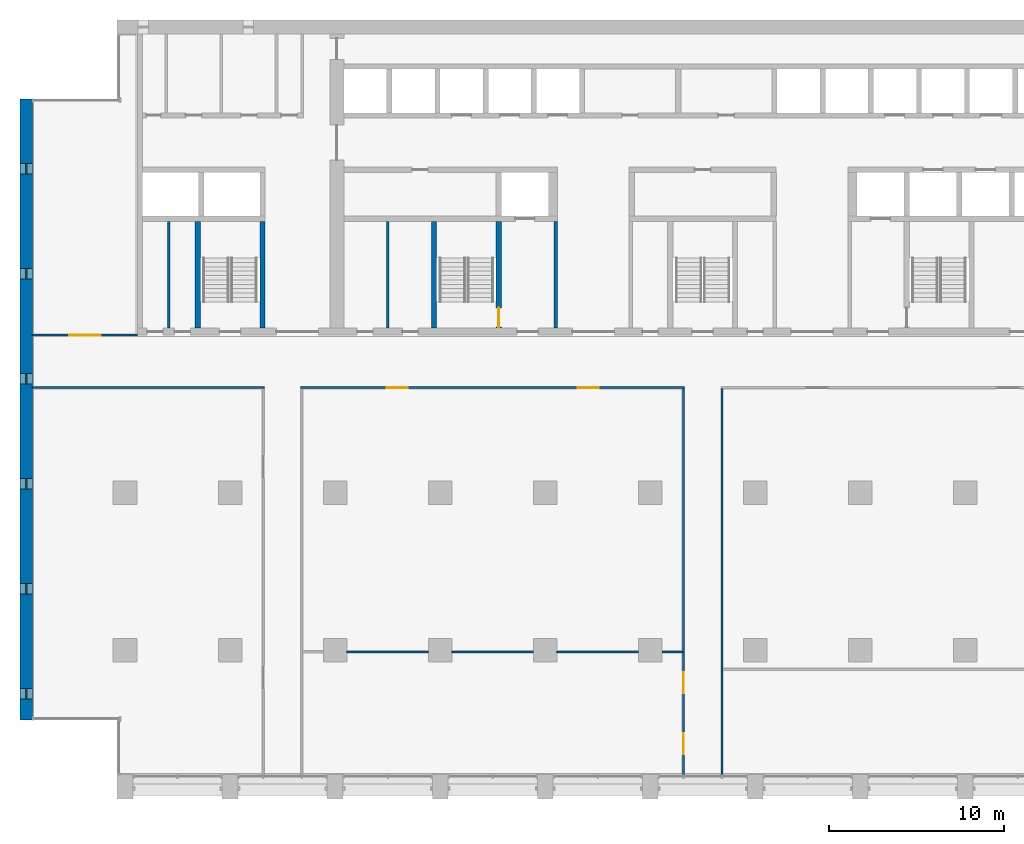
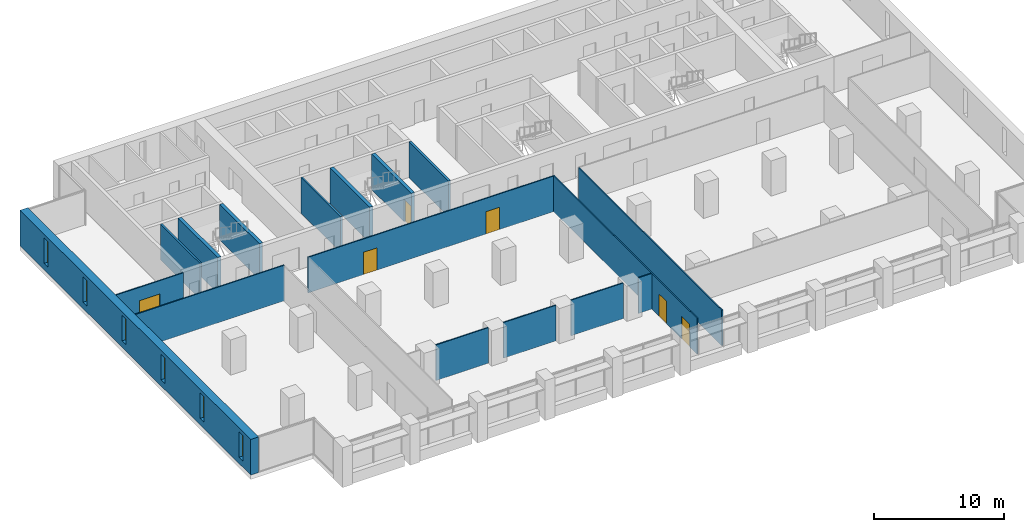
# One storey, part 8 of 15: 17 walls, 6 doors, 6 windows, 12 openings.
"""IFC4 building model written with IfcOpenShell, lengths in metres."""

import ifcopenshell
import ifcopenshell.guid

model = None  # the IFC model being written
_history = None  # IfcOwnerHistory: only IFC2X3 demands one
_inside = {}  # id of a spatial element -> (the spatial element, [elements in it])
_under = {}  # id of a project, library or spatial element -> (it, [spatial elements below it])
_declared = {}  # id of a project -> (the project, [libraries it declares])
_typed = {}  # id of a type object -> (the type object, [elements of that type])
_made_of = {}  # id of a material, layer set ... -> (it, [elements and type objects made of it])


def new_model(schema):
    """Start an empty IFC model of exactly this schema.

    Asked for "IFC4X3", IfcOpenShell would pick the latest addendum, in which some entities
    have other attributes; the version numbers below select the first issue.
    IFC2X3 requires an IfcOwnerHistory on every rooted entity: one is made here for all.
    """
    global model, _history
    if schema == "IFC4X3":
        model = ifcopenshell.file(schema_version=(4, 3, 0, 0))
    else:
        model = ifcopenshell.file(schema=schema)
    _inside.clear()
    _under.clear()
    _declared.clear()
    _typed.clear()
    _made_of.clear()
    _history = None
    if model.schema == "IFC2X3":
        org = make("IfcOrganization", Name="unknown")
        user = make(
            "IfcPersonAndOrganization",
            ThePerson=make("IfcPerson", FamilyName="unknown"),
            TheOrganization=org,
        )
        app = make(
            "IfcApplication",
            ApplicationDeveloper=org,
            Version="unknown",
            ApplicationFullName="unknown",
            ApplicationIdentifier="unknown",
        )
        _history = make(
            "IfcOwnerHistory",
            OwningUser=user,
            OwningApplication=app,
            ChangeAction="ADDED",
            CreationDate=0,
        )
    return model


def make(cls, **values):
    """One entity of the class cls with the attributes given. An attribute that is None is left unset."""
    return model.create_entity(
        cls, **{name: value for name, value in values.items() if value is not None}
    )


def rooted(cls, **values):
    """An entity with a GlobalId (a new one), such as an element, a storey or a relation."""
    return make(cls, GlobalId=ifcopenshell.guid.new(), OwnerHistory=_history, **values)


def si_unit(unit_type, name, prefix=None):
    """IfcSIUnit, for example si_unit("LENGTHUNIT", "METRE", prefix="MILLI")."""
    return make("IfcSIUnit", UnitType=unit_type, Prefix=prefix, Name=name)


def assignment(units):
    """IfcUnitAssignment: the units of a project."""
    return None if units is None else make("IfcUnitAssignment", Units=units)


def point(xyz):
    """IfcCartesianPoint."""
    return None if xyz is None else make("IfcCartesianPoint", Coordinates=xyz)


def direction(xyz):
    """IfcDirection."""
    return None if xyz is None else make("IfcDirection", DirectionRatios=xyz)


def frame(location, z_axis=None, x_axis=None):
    """IfcAxis2Placement3D, a coordinate frame: its origin and axes. An axis left out is left unset."""
    return make(
        "IfcAxis2Placement3D",
        Location=point(location),
        Axis=direction(z_axis),
        RefDirection=direction(x_axis),
    )


def frame_2d(location, x_axis=None):
    """IfcAxis2Placement2D, a coordinate frame in the plane: its origin and x axis."""
    return make(
        "IfcAxis2Placement2D", Location=point(location), RefDirection=direction(x_axis)
    )


def origin():
    """The frame at (0, 0, 0) with its axes left unset."""
    return frame((0.0, 0.0, 0.0))


def place(relative_to, where):
    """IfcLocalPlacement: puts the frame where relative to a parent placement (None: the world)."""
    return make(
        "IfcLocalPlacement", PlacementRelTo=relative_to, RelativePlacement=where
    )


def context(
    kind, dimensions, precision=None, world=None, true_north=None, identifier=None
):
    """IfcGeometricRepresentationContext, for example the 3D "Model" context."""
    return make(
        "IfcGeometricRepresentationContext",
        ContextIdentifier=identifier,
        ContextType=kind,
        CoordinateSpaceDimension=dimensions,
        Precision=precision,
        WorldCoordinateSystem=world,
        TrueNorth=true_north,
    )


def subcontext(parent, identifier, kind, view, scale=None):
    """IfcGeometricRepresentationSubContext, for example "Body" below "Model"."""
    return make(
        "IfcGeometricRepresentationSubContext",
        ContextIdentifier=identifier,
        ContextType=kind,
        ParentContext=parent,
        TargetScale=scale,
        TargetView=view,
    )


def project(units=None, contexts=None):
    """IfcProject with its units and contexts."""
    return rooted(
        "IfcProject",
        Name="project",
        RepresentationContexts=contexts,
        UnitsInContext=assignment(units),
    )


def spatial(cls, under=None, at=None, **own):
    """A site, building, storey or space (cls), placed at a placement, below another one or the project."""
    s = rooted(cls, ObjectPlacement=at, **own)
    if under is not None:
        _under.setdefault(under.id(), (under, []))[1].append(s)
    return s


def profile(cls, at=None, kind="AREA", **sizes):
    """A parametric profile (cls). Its sizes go by their IFC names, for example OverallWidth=200.0."""
    return make(cls, ProfileType=kind, Position=at, **sizes)


def rectangle(**sizes):
    """IfcRectangleProfileDef."""
    return profile("IfcRectangleProfileDef", **sizes)


def extrude(swept, where, along, depth):
    """IfcExtrudedAreaSolid: the profile swept, set in the frame where, extruded along a direction by depth."""
    return make(
        "IfcExtrudedAreaSolid",
        SweptArea=swept,
        Position=where,
        ExtrudedDirection=direction(along),
        Depth=depth,
    )


def shape(context_of_items, identifier, shape_type, items):
    """IfcShapeRepresentation: the items that make up one representation, for example the "Body"."""
    return make(
        "IfcShapeRepresentation",
        ContextOfItems=context_of_items,
        RepresentationIdentifier=identifier,
        RepresentationType=shape_type,
        Items=items,
    )


def material(Name=None, Category=None):
    """IfcMaterial."""
    return make("IfcMaterial", Name=Name, Category=Category)


def layer(
    of_material, thickness, ventilated=None, Name=None, Category=None, Priority=None
):
    """IfcMaterialLayer: one layer of a wall or slab, of a material (None: an air gap)."""
    return make(
        "IfcMaterialLayer",
        Material=of_material,
        LayerThickness=thickness,
        IsVentilated=ventilated,
        Name=Name,
        Category=Category,
        Priority=Priority,
    )


def layer_set(layers, Name=None):
    """IfcMaterialLayerSet."""
    return make("IfcMaterialLayerSet", MaterialLayers=layers, LayerSetName=Name)


def made_of(thing, what):
    """Note that an element or type object is made of a material, layer set ...; save() writes the relation."""
    if what is not None:
        _made_of.setdefault(what.id(), (what, []))[1].append(thing)
    return thing


def type_object(cls, material=None, **own):
    """A type object (cls), such as IfcWallType, which elements share."""
    return made_of(rooted(cls, **own), material)


def element(
    cls,
    number,
    at=None,
    inside=None,
    cuts=None,
    type_object=None,
    material=None,
    context=None,
    identifier="Body",
    shape_type=None,
    held_by="IfcProductDefinitionShape",
    body=None,
    shapes=None,
    **own,
):
    """One element of the class cls, such as IfcWall. Its Tag is "e" and its number.

    at: its placement. inside: the storey or other place that contains it. cuts: it is an
    opening in that element (IfcRelVoidsElement). A single representation is given by context,
    identifier, shape_type and body (its items); several are given by shapes. held_by: the class
    of the entity that holds the representations. save() writes the other relations.
    """
    e = rooted(cls, Tag="e%d" % number, ObjectPlacement=at, **own)
    if body is not None:
        shapes = [shape(context, identifier, shape_type, body)]
    if shapes is not None:
        e.Representation = make(held_by, Representations=shapes)
    if inside is not None:
        _inside.setdefault(inside.id(), (inside, []))[1].append(e)
    if cuts is not None:
        rooted(
            "IfcRelVoidsElement", RelatingBuildingElement=cuts, RelatedOpeningElement=e
        )
    if type_object is not None:
        _typed.setdefault(type_object.id(), (type_object, []))[1].append(e)
    return made_of(e, material)


def fill(opening, filler):
    """IfcRelFillsElement: the door or window that sits in an opening."""
    return rooted(
        "IfcRelFillsElement",
        RelatingOpeningElement=opening,
        RelatedBuildingElement=filler,
    )


def aggregate(whole, parts):
    """IfcRelAggregates: a whole, such as a stair, and the parts it consists of."""
    return rooted("IfcRelAggregates", RelatingObject=whole, RelatedObjects=parts)


def save(model, path):
    """Write the relations noted so far, then the file.

    IfcRelAggregates (storeys below a building ...), IfcRelContainedInSpatialStructure (elements
    in a storey), IfcRelDefinesByType, IfcRelAssociatesMaterial and IfcRelDeclares: one each for
    every whole, place, type object, material and project.
    """
    for whole, parts in _under.values():
        aggregate(whole, parts)
    for where, things in _inside.values():
        rooted(
            "IfcRelContainedInSpatialStructure",
            RelatedElements=things,
            RelatingStructure=where,
        )
    for kind, things in _typed.values():
        rooted("IfcRelDefinesByType", RelatedObjects=things, RelatingType=kind)
    for what, things in _made_of.values():
        rooted("IfcRelAssociatesMaterial", RelatedObjects=things, RelatingMaterial=what)
    for by, libraries in _declared.values():
        rooted("IfcRelDeclares", RelatingContext=by, RelatedDefinitions=libraries)
    model.write(path)


model = new_model("IFC4")

# Units and contexts
model_context = context("Model", 3, precision=1e-05, world=origin(), true_north=direction((0.0, 1.0)))
body_context = subcontext(model_context, "Body", "Model", "MODEL_VIEW")
ifc_project = project(units=[si_unit("LENGTHUNIT", "METRE"), si_unit("AREAUNIT", "SQUARE_METRE"), si_unit("VOLUMEUNIT", "CUBIC_METRE"), si_unit("PLANEANGLEUNIT", "RADIAN"), si_unit("MASSUNIT", "GRAM", prefix="KILO")], contexts=[model_context])

# Site, building, storey
site_placement = place(None, origin())
site = spatial("IfcSite", under=ifc_project, at=site_placement, CompositionType="ELEMENT")
building_placement = place(site_placement, origin())
building = spatial("IfcBuilding", under=site, at=building_placement, Name="Calvaro Tower", CompositionType="ELEMENT")
storey_placement = place(building_placement, frame((0.0, 0.0, 113.75)))
storey = spatial("IfcBuildingStorey", under=building, at=storey_placement, Name="L28", CompositionType="ELEMENT", Elevation=113.75)

# Walls
ifc_material_1 = material(Name="Blockwork partition", Category="masonry")
ifc_layer_1 = layer(ifc_material_1, 0.14990234375)
ifc_layer_set_1 = layer_set([ifc_layer_1], Name="Blockwork partition")
wall_type_1 = type_object("IfcWallType", Name="Core partition 150 EI 60", PredefinedType="PARTITIONING", material=ifc_layer_set_1)
wall_1_placement = place(storey_placement, frame((21.0, 28.39990234375, 0.0), z_axis=(0.0, 0.0, 1.0), x_axis=(0.0, 1.0, 0.0)))
element("IfcWall", 1, at=wall_1_placement, inside=storey, type_object=wall_type_1, Name="Core partition", PredefinedType="PARTITIONING", context=body_context, shape_type="SweptSolid", body=[
    extrude(rectangle(XDim=6.10009765625, YDim=0.14990234375, at=frame_2d((3.050048828125, 0.0))), origin(), (0.0, 0.0, 1.0), 3.35009765625),
])
ifc_material_2 = material(Name="Blockwork partition", Category="masonry")
ifc_layer_2 = layer(ifc_material_2, 0.14990234375)
ifc_layer_set_2 = layer_set([ifc_layer_2], Name="Blockwork partition")
wall_type_2 = type_object("IfcWallType", Name="Core partition 150 REI 120", PredefinedType="PARTITIONING", material=ifc_layer_set_2)
wall_2_placement = place(storey_placement, frame((8.5, 28.39990234375, 0.0), z_axis=(0.0, 0.0, 1.0), x_axis=(0.0, 1.0, 0.0)))
element("IfcWall", 2, at=wall_2_placement, inside=storey, type_object=wall_type_2, Name="Core partition", PredefinedType="PARTITIONING", context=body_context, shape_type="SweptSolid", body=[
    extrude(rectangle(XDim=6.10009765625, YDim=0.14990234375, at=frame_2d((3.050048828125, 0.0))), origin(), (0.0, 0.0, 1.0), 3.35009765625),
])
ifc_material_3 = material(Name="Blockwork partition", Category="masonry")
ifc_layer_3 = layer(ifc_material_3, 0.199951171875)
ifc_layer_set_3 = layer_set([ifc_layer_3], Name="Blockwork partition")
wall_type_3 = type_object("IfcWallType", Name="Core partition 200 REI 120", PredefinedType="PARTITIONING", material=ifc_layer_set_3)
wall_3_placement = place(storey_placement, frame((30.60009765625, 28.39990234375, 0.0), z_axis=(0.0, 0.0, 1.0), x_axis=(0.0, 1.0, 0.0)))
element("IfcWall", 3, at=wall_3_placement, inside=storey, type_object=wall_type_3, Name="Core partition", PredefinedType="PARTITIONING", context=body_context, shape_type="SweptSolid", body=[
    extrude(rectangle(XDim=6.10009765625, YDim=0.199951171875, at=frame_2d((3.050048828125, 0.0))), origin(), (0.0, 0.0, 1.0), 3.35009765625),
])
ifc_material_4 = material(Name="Concrete C60/75", Category="concrete")
ifc_layer_4 = layer(ifc_material_4, 0.300048828125)
ifc_layer_set_4 = layer_set([ifc_layer_4], Name="Concrete C60/75")
wall_type_4 = type_object("IfcWallType", Name="Core wall C60/75 300", PredefinedType="SHEAR", material=ifc_layer_set_4)
for number, where, z_axis, x_axis, name in (
    (4, (10.14990234375, 28.39990234375, 0.0), (0.0, 0.0, 1.0), (0.0, 1.0, 0.0), "Core wall, stair enclosure"),
    (5, (13.85009765625, 28.39990234375, 0.0), (0.0, 0.0, 1.0), (0.0, 1.0, 0.0), "Core wall, stair enclosure"),
    (6, (23.64990234375, 28.39990234375, 0.0), (0.0, 0.0, 1.0), (0.0, 1.0, 0.0), "Core wall, stair enclosure"),
):
    element("IfcWall", number, at=place(storey_placement, frame(where, z_axis=z_axis, x_axis=x_axis)), inside=storey, type_object=wall_type_4, Name=name, PredefinedType="SHEAR", context=body_context, shape_type="SweptSolid", body=[
        extrude(rectangle(XDim=6.10009765625, YDim=0.300048828125, at=frame_2d((3.050048828125, 0.0))), origin(), (0.0, 0.0, 1.0), 3.35009765625),
    ])

# Wall, opening, door
wall_4_placement = place(storey_placement, frame((27.35009765625, 28.39990234375, 0.0), z_axis=(0.0, 0.0, 1.0), x_axis=(0.0, 1.0, 0.0)))
wall_4 = element("IfcWall", 7, at=wall_4_placement, inside=storey, type_object=wall_type_4, Name="Core wall, stair enclosure", PredefinedType="SHEAR", context=body_context, shape_type="SweptSolid", body=[
    extrude(rectangle(XDim=6.10009765625, YDim=0.300048828125, at=frame_2d((3.050048828125, 0.0))), origin(), (0.0, 0.0, 1.0), 3.35009765625),
])
opening_1_placement = place(wall_4_placement, frame((0.050048828125, 0.0, 0.0)))
opening_1 = element("IfcOpeningElement", 8, at=opening_1_placement, cuts=wall_4, Name="Opening FD11D", PredefinedType="OPENING", context=body_context, shape_type="SweptSolid", body=[
    extrude(rectangle(XDim=1.10009765625, YDim=2.10009765625, at=frame_2d((0.550048828125, 1.050048828125))), frame((0.0, 0.159912109375, 0.0), z_axis=(0.0, -1.0, 0.0), x_axis=(1.0, 0.0, 0.0)), (0.0, 0.0, 1.0), 0.320068359375),
])
ifc_material_5 = material(Name="Steel door set", Category="steel")
door_type_1 = type_object("IfcDoorType", Name="Fire door 1100 FD30S", OperationType="SINGLE_SWING_LEFT", PredefinedType="DOOR", material=ifc_material_5)
door_1_placement = place(opening_1_placement, origin())
door_1 = element("IfcDoor", 9, at=door_1_placement, inside=storey, type_object=door_type_1, Name="Fire door", OperationType="SINGLE_SWING_LEFT", OverallHeight=2.10009765625, OverallWidth=1.10009765625, PredefinedType="DOOR", context=body_context, shape_type="SweptSolid", body=[
    extrude(rectangle(XDim=1.10009765625, YDim=2.10009765625, at=frame_2d((0.550048828125, 1.050048828125))), frame((0.0, 0.02490234375, 0.0), z_axis=(0.0, -1.0, 0.0), x_axis=(1.0, 0.0, 0.0)), (0.0, 0.0, 1.0), 0.050048828125),
])
fill(opening_1, door_1)

# Wall, openings, windows
ifc_material_6 = material(Name="Concrete C60/75", Category="concrete")
ifc_layer_5 = layer(ifc_material_6, 0.699951171875)
ifc_layer_set_5 = layer_set([ifc_layer_5], Name="Concrete C60/75")
wall_type_5 = type_object("IfcWallType", Name="End wall 700 C60/75", PredefinedType="SHEAR", material=ifc_layer_set_5)
wall_5_placement = place(storey_placement, frame((0.35009765625, 6.0, 0.0), z_axis=(0.0, 0.0, 1.0), x_axis=(0.0, 1.0, 0.0)))
wall_5 = element("IfcWall", 10, at=wall_5_placement, inside=storey, type_object=wall_type_5, Name="End shear wall", PredefinedType="SHEAR", context=body_context, shape_type="SweptSolid", body=[
    extrude(rectangle(XDim=35.5, YDim=0.699951171875, at=frame_2d((17.75, 0.0))), origin(), (0.0, 0.0, 1.0), 3.35009765625),
])
opening_2_placement = place(wall_5_placement, frame((1.199951171875, 0.0, 0.60009765625)))
opening_2 = element("IfcOpeningElement", 11, at=opening_2_placement, cuts=wall_5, Name="Opening WW01", PredefinedType="OPENING", context=body_context, shape_type="SweptSolid", body=[
    extrude(rectangle(XDim=0.60009765625, YDim=2.39990234375, at=frame_2d((0.300048828125, 1.199951171875))), frame((0.0, 0.35986328125, 0.0), z_axis=(0.0, -1.0, 0.0), x_axis=(1.0, 0.0, 0.0)), (0.0, 0.0, 1.0), 0.719970703125),
])
opening_3_placement = place(wall_5_placement, frame((7.199951171875, 0.0, 0.60009765625)))
opening_3 = element("IfcOpeningElement", 12, at=opening_3_placement, cuts=wall_5, Name="Opening WW02", PredefinedType="OPENING", context=body_context, shape_type="SweptSolid", body=[
    extrude(rectangle(XDim=0.60009765625, YDim=2.39990234375, at=frame_2d((0.300048828125, 1.199951171875))), frame((0.0, 0.35986328125, 0.0), z_axis=(0.0, -1.0, 0.0), x_axis=(1.0, 0.0, 0.0)), (0.0, 0.0, 1.0), 0.719970703125),
])
opening_4_placement = place(wall_5_placement, frame((13.199951171875, 0.0, 0.60009765625)))
opening_4 = element("IfcOpeningElement", 13, at=opening_4_placement, cuts=wall_5, Name="Opening WW03", PredefinedType="OPENING", context=body_context, shape_type="SweptSolid", body=[
    extrude(rectangle(XDim=0.60009765625, YDim=2.39990234375, at=frame_2d((0.300048828125, 1.199951171875))), frame((0.0, 0.35986328125, 0.0), z_axis=(0.0, -1.0, 0.0), x_axis=(1.0, 0.0, 0.0)), (0.0, 0.0, 1.0), 0.719970703125),
])
opening_5_placement = place(wall_5_placement, frame((19.199951171875, 0.0, 0.60009765625)))
opening_5 = element("IfcOpeningElement", 14, at=opening_5_placement, cuts=wall_5, Name="Opening WW04", PredefinedType="OPENING", context=body_context, shape_type="SweptSolid", body=[
    extrude(rectangle(XDim=0.60009765625, YDim=2.39990234375, at=frame_2d((0.300048828125, 1.199951171875))), frame((0.0, 0.35986328125, 0.0), z_axis=(0.0, -1.0, 0.0), x_axis=(1.0, 0.0, 0.0)), (0.0, 0.0, 1.0), 0.719970703125),
])
opening_6_placement = place(wall_5_placement, frame((25.199951171875, 0.0, 0.60009765625)))
opening_6 = element("IfcOpeningElement", 15, at=opening_6_placement, cuts=wall_5, Name="Opening WW05", PredefinedType="OPENING", context=body_context, shape_type="SweptSolid", body=[
    extrude(rectangle(XDim=0.60009765625, YDim=2.39990234375, at=frame_2d((0.300048828125, 1.199951171875))), frame((0.0, 0.35986328125, 0.0), z_axis=(0.0, -1.0, 0.0), x_axis=(1.0, 0.0, 0.0)), (0.0, 0.0, 1.0), 0.719970703125),
])
opening_7_placement = place(wall_5_placement, frame((31.199951171875, 0.0, 0.60009765625)))
opening_7 = element("IfcOpeningElement", 16, at=opening_7_placement, cuts=wall_5, Name="Opening WW06", PredefinedType="OPENING", context=body_context, shape_type="SweptSolid", body=[
    extrude(rectangle(XDim=0.60009765625, YDim=2.39990234375, at=frame_2d((0.300048828125, 1.199951171875))), frame((0.0, 0.35986328125, 0.0), z_axis=(0.0, -1.0, 0.0), x_axis=(1.0, 0.0, 0.0)), (0.0, 0.0, 1.0), 0.719970703125),
])
ifc_material_7 = material(Name="Glass", Category="glass")
window_type = type_object("IfcWindowType", Name="Slit window 600 x 2400", PartitioningType="SINGLE_PANEL", PredefinedType="WINDOW", material=ifc_material_7)
window_1_placement = place(opening_2_placement, origin())
window_1 = element("IfcWindow", 17, at=window_1_placement, inside=storey, type_object=window_type, Name="Window WW01", OverallHeight=2.39990234375, OverallWidth=0.60009765625, PartitioningType="SINGLE_PANEL", PredefinedType="WINDOW", context=body_context, shape_type="SweptSolid", body=[
    extrude(rectangle(XDim=0.60009765625, YDim=2.39990234375, at=frame_2d((0.300048828125, 1.199951171875))), frame((0.0, 0.030029296875, 0.0), z_axis=(0.0, -1.0, 0.0), x_axis=(1.0, 0.0, 0.0)), (0.0, 0.0, 1.0), 0.06005859375),
])
fill(opening_2, window_1)
window_2_placement = place(opening_3_placement, origin())
window_2 = element("IfcWindow", 18, at=window_2_placement, inside=storey, type_object=window_type, Name="Window WW02", OverallHeight=2.39990234375, OverallWidth=0.60009765625, PartitioningType="SINGLE_PANEL", PredefinedType="WINDOW", context=body_context, shape_type="SweptSolid", body=[
    extrude(rectangle(XDim=0.60009765625, YDim=2.39990234375, at=frame_2d((0.300048828125, 1.199951171875))), frame((0.0, 0.030029296875, 0.0), z_axis=(0.0, -1.0, 0.0), x_axis=(1.0, 0.0, 0.0)), (0.0, 0.0, 1.0), 0.06005859375),
])
fill(opening_3, window_2)
window_3_placement = place(opening_4_placement, origin())
window_3 = element("IfcWindow", 19, at=window_3_placement, inside=storey, type_object=window_type, Name="Window WW03", OverallHeight=2.39990234375, OverallWidth=0.60009765625, PartitioningType="SINGLE_PANEL", PredefinedType="WINDOW", context=body_context, shape_type="SweptSolid", body=[
    extrude(rectangle(XDim=0.60009765625, YDim=2.39990234375, at=frame_2d((0.300048828125, 1.199951171875))), frame((0.0, 0.030029296875, 0.0), z_axis=(0.0, -1.0, 0.0), x_axis=(1.0, 0.0, 0.0)), (0.0, 0.0, 1.0), 0.06005859375),
])
fill(opening_4, window_3)
window_4_placement = place(opening_5_placement, origin())
window_4 = element("IfcWindow", 20, at=window_4_placement, inside=storey, type_object=window_type, Name="Window WW04", OverallHeight=2.39990234375, OverallWidth=0.60009765625, PartitioningType="SINGLE_PANEL", PredefinedType="WINDOW", context=body_context, shape_type="SweptSolid", body=[
    extrude(rectangle(XDim=0.60009765625, YDim=2.39990234375, at=frame_2d((0.300048828125, 1.199951171875))), frame((0.0, 0.030029296875, 0.0), z_axis=(0.0, -1.0, 0.0), x_axis=(1.0, 0.0, 0.0)), (0.0, 0.0, 1.0), 0.06005859375),
])
fill(opening_5, window_4)
window_5_placement = place(opening_6_placement, origin())
window_5 = element("IfcWindow", 21, at=window_5_placement, inside=storey, type_object=window_type, Name="Window WW05", OverallHeight=2.39990234375, OverallWidth=0.60009765625, PartitioningType="SINGLE_PANEL", PredefinedType="WINDOW", context=body_context, shape_type="SweptSolid", body=[
    extrude(rectangle(XDim=0.60009765625, YDim=2.39990234375, at=frame_2d((0.300048828125, 1.199951171875))), frame((0.0, 0.030029296875, 0.0), z_axis=(0.0, -1.0, 0.0), x_axis=(1.0, 0.0, 0.0)), (0.0, 0.0, 1.0), 0.06005859375),
])
fill(opening_6, window_5)
window_6_placement = place(opening_7_placement, origin())
window_6 = element("IfcWindow", 22, at=window_6_placement, inside=storey, type_object=window_type, Name="Window WW06", OverallHeight=2.39990234375, OverallWidth=0.60009765625, PartitioningType="SINGLE_PANEL", PredefinedType="WINDOW", context=body_context, shape_type="SweptSolid", body=[
    extrude(rectangle(XDim=0.60009765625, YDim=2.39990234375, at=frame_2d((0.300048828125, 1.199951171875))), frame((0.0, 0.030029296875, 0.0), z_axis=(0.0, -1.0, 0.0), x_axis=(1.0, 0.0, 0.0)), (0.0, 0.0, 1.0), 0.06005859375),
])
fill(opening_7, window_6)

# Walls
ifc_material_8 = material(Name="Plasterboard on steel studs", Category="steel")
ifc_layer_6 = layer(ifc_material_8, 0.10009765625)
ifc_layer_set_6 = layer_set([ifc_layer_6], Name="Plasterboard on steel studs")
wall_type_6 = type_object("IfcWallType", Name="Partition 100", PredefinedType="PARTITIONING", material=ifc_layer_set_6)
wall_6_placement = place(storey_placement, frame((36.675048828125, 9.89990234375, 0.0), z_axis=(0.0, 0.0, 1.0), x_axis=(1.0, 0.0, 0.0)))
element("IfcWall", 23, at=wall_6_placement, inside=storey, type_object=wall_type_6, Name="Partition T18.W002", PredefinedType="PARTITIONING", context=body_context, shape_type="SweptSolid", body=[
    extrude(rectangle(XDim=1.175048828125, YDim=0.10009765625, at=frame_2d((0.58740234375, 0.0))), origin(), (0.0, 0.0, 1.0), 3.35009765625),
])
for number, where, z_axis, x_axis, name in (
    (24, (30.675048828125, 9.89990234375, 0.0), (0.0, 0.0, 1.0), (1.0, 0.0, 0.0), "Partition T18.W003"),
    (25, (24.675048828125, 9.89990234375, 0.0), (0.0, 0.0, 1.0), (1.0, 0.0, 0.0), "Partition T18.W004"),
    (26, (18.675048828125, 9.89990234375, 0.0), (0.0, 0.0, 1.0), (1.0, 0.0, 0.0), "Partition T18.W005"),
):
    element("IfcWall", number, at=place(storey_placement, frame(where, z_axis=z_axis, x_axis=x_axis)), inside=storey, type_object=wall_type_6, Name=name, PredefinedType="PARTITIONING", context=body_context, shape_type="SweptSolid", body=[
        extrude(rectangle(XDim=4.64990234375, YDim=0.10009765625, at=frame_2d((2.324951171875, 0.0))), origin(), (0.0, 0.0, 1.0), 3.35009765625),
    ])
wall_7_placement = place(storey_placement, frame((0.699951171875, 25.0, 0.0), z_axis=(0.0, 0.0, 1.0), x_axis=(1.0, 0.0, 0.0)))
element("IfcWall", 27, at=wall_7_placement, inside=storey, type_object=wall_type_6, Name="Partition T18.W007", PredefinedType="PARTITIONING", context=body_context, shape_type="SweptSolid", body=[
    extrude(rectangle(XDim=13.25, YDim=0.10009765625, at=frame_2d((6.625, 0.0))), origin(), (0.0, 0.0, 1.0), 3.35009765625),
])

# Wall, openings, doors
wall_8_placement = place(storey_placement, frame((16.050048828125, 25.0, 0.0), z_axis=(0.0, 0.0, 1.0), x_axis=(1.0, 0.0, 0.0)))
wall_8 = element("IfcWall", 28, at=wall_8_placement, inside=storey, type_object=wall_type_6, Name="Partition T18.W008", PredefinedType="PARTITIONING", context=body_context, shape_type="SweptSolid", body=[
    extrude(rectangle(XDim=21.89990234375, YDim=0.10009765625, at=frame_2d((10.949951171875, 0.0))), origin(), (0.0, 0.0, 1.0), 3.35009765625),
])
opening_8_placement = place(wall_8_placement, frame((4.89990234375, 0.0, 0.0)))
opening_8 = element("IfcOpeningElement", 29, at=opening_8_placement, cuts=wall_8, Name="Opening T18.009", PredefinedType="OPENING", context=body_context, shape_type="SweptSolid", body=[
    extrude(rectangle(XDim=1.199951171875, YDim=2.10009765625, at=frame_2d((0.60009765625, 1.050048828125))), frame((0.0, 0.06005859375, 0.0), z_axis=(0.0, -1.0, 0.0), x_axis=(1.0, 0.0, 0.0)), (0.0, 0.0, 1.0), 0.1201171875),
])
opening_9_placement = place(wall_8_placement, frame((15.800048828125, 0.0, 0.0)))
opening_9 = element("IfcOpeningElement", 30, at=opening_9_placement, cuts=wall_8, Name="Opening T18.010", PredefinedType="OPENING", context=body_context, shape_type="SweptSolid", body=[
    extrude(rectangle(XDim=1.199951171875, YDim=2.10009765625, at=frame_2d((0.60009765625, 1.050048828125))), frame((0.0, 0.06005859375, 0.0), z_axis=(0.0, -1.0, 0.0), x_axis=(1.0, 0.0, 0.0)), (0.0, 0.0, 1.0), 0.1201171875),
])
ifc_material_9 = material(Name="Timber", Category="wood")
door_type_2 = type_object("IfcDoorType", Name="Internal single door 1200 x 2100", OperationType="SINGLE_SWING_LEFT", PredefinedType="DOOR", material=ifc_material_9)
door_2_placement = place(opening_8_placement, origin())
door_2 = element("IfcDoor", 31, at=door_2_placement, inside=storey, type_object=door_type_2, Name="Door T18.009", OperationType="SINGLE_SWING_LEFT", OverallHeight=2.10009765625, OverallWidth=1.199951171875, PredefinedType="DOOR", context=body_context, shape_type="SweptSolid", body=[
    extrude(rectangle(XDim=1.199951171875, YDim=2.10009765625, at=frame_2d((0.60009765625, 1.050048828125))), frame((0.0, 0.02490234375, 0.0), z_axis=(0.0, -1.0, 0.0), x_axis=(1.0, 0.0, 0.0)), (0.0, 0.0, 1.0), 0.050048828125),
])
fill(opening_8, door_2)
door_3_placement = place(opening_9_placement, origin())
door_3 = element("IfcDoor", 32, at=door_3_placement, inside=storey, type_object=door_type_2, Name="Door T18.010", OperationType="SINGLE_SWING_RIGHT", OverallHeight=2.10009765625, OverallWidth=1.199951171875, PredefinedType="DOOR", context=body_context, shape_type="SweptSolid", body=[
    extrude(rectangle(XDim=1.199951171875, YDim=2.10009765625, at=frame_2d((0.60009765625, 1.050048828125))), frame((0.0, 0.02490234375, 0.0), z_axis=(0.0, -1.0, 0.0), x_axis=(1.0, 0.0, 0.0)), (0.0, 0.0, 1.0), 0.050048828125),
])
fill(opening_9, door_3)

# Wall, opening, door
wall_9_placement = place(storey_placement, frame((0.699951171875, 28.0, 0.0), z_axis=(0.0, 0.0, 1.0), x_axis=(1.0, 0.0, 0.0)))
wall_9 = element("IfcWall", 33, at=wall_9_placement, inside=storey, type_object=wall_type_6, Name="Partition T18.W011", PredefinedType="PARTITIONING", context=body_context, shape_type="SweptSolid", body=[
    extrude(rectangle(XDim=6.0, YDim=0.10009765625, at=frame_2d((3.0, 0.0))), origin(), (0.0, 0.0, 1.0), 3.35009765625),
])
opening_10_placement = place(wall_9_placement, frame((2.10009765625, 0.0, 0.0)))
opening_10 = element("IfcOpeningElement", 34, at=opening_10_placement, cuts=wall_9, Name="Opening T18.011", PredefinedType="OPENING", context=body_context, shape_type="SweptSolid", body=[
    extrude(rectangle(XDim=1.800048828125, YDim=2.10009765625, at=frame_2d((0.89990234375, 1.050048828125))), frame((0.0, 0.06005859375, 0.0), z_axis=(0.0, -1.0, 0.0), x_axis=(1.0, 0.0, 0.0)), (0.0, 0.0, 1.0), 0.1201171875),
])
ifc_material_10 = material(Name="Timber", Category="wood")
door_type_3 = type_object("IfcDoorType", Name="Internal double door 1800 x 2100", OperationType="DOUBLE_DOOR_SINGLE_SWING", PredefinedType="DOOR", material=ifc_material_10)
door_4_placement = place(opening_10_placement, origin())
door_4 = element("IfcDoor", 35, at=door_4_placement, inside=storey, type_object=door_type_3, Name="Door T18.011", OperationType="DOUBLE_DOOR_SINGLE_SWING", OverallHeight=2.10009765625, OverallWidth=1.800048828125, PredefinedType="DOOR", context=body_context, shape_type="SweptSolid", body=[
    extrude(rectangle(XDim=1.800048828125, YDim=2.10009765625, at=frame_2d((0.89990234375, 1.050048828125))), frame((0.0, 0.02490234375, 0.0), z_axis=(0.0, -1.0, 0.0), x_axis=(1.0, 0.0, 0.0)), (0.0, 0.0, 1.0), 0.050048828125),
])
fill(opening_10, door_4)

# Wall, openings, doors
wall_10_placement = place(storey_placement, frame((37.89990234375, 2.89990234375, 0.0), z_axis=(0.0, 0.0, 1.0), x_axis=(0.0, 1.0, 0.0)))
wall_10 = element("IfcWall", 36, at=wall_10_placement, inside=storey, type_object=wall_type_6, Name="Partition T18.W015", PredefinedType="PARTITIONING", context=body_context, shape_type="SweptSolid", body=[
    extrude(rectangle(XDim=22.050048828125, YDim=0.10009765625, at=frame_2d((11.02490234375, 0.0))), origin(), (0.0, 0.0, 1.0), 3.35009765625),
])
opening_11_placement = place(wall_10_placement, frame((1.14990234375, 0.0, 0.0)))
opening_11 = element("IfcOpeningElement", 37, at=opening_11_placement, cuts=wall_10, Name="Opening T18.002", PredefinedType="OPENING", context=body_context, shape_type="SweptSolid", body=[
    extrude(rectangle(XDim=1.199951171875, YDim=2.10009765625, at=frame_2d((0.60009765625, 1.050048828125))), frame((0.0, 0.06005859375, 0.0), z_axis=(0.0, -1.0, 0.0), x_axis=(1.0, 0.0, 0.0)), (0.0, 0.0, 1.0), 0.1201171875),
])
opening_12_placement = place(wall_10_placement, frame((4.64990234375, 0.0, 0.0)))
opening_12 = element("IfcOpeningElement", 38, at=opening_12_placement, cuts=wall_10, Name="Opening T18.003", PredefinedType="OPENING", context=body_context, shape_type="SweptSolid", body=[
    extrude(rectangle(XDim=1.199951171875, YDim=2.10009765625, at=frame_2d((0.60009765625, 1.050048828125))), frame((0.0, 0.06005859375, 0.0), z_axis=(0.0, -1.0, 0.0), x_axis=(1.0, 0.0, 0.0)), (0.0, 0.0, 1.0), 0.1201171875),
])
door_5_placement = place(opening_11_placement, origin())
door_5 = element("IfcDoor", 39, at=door_5_placement, inside=storey, type_object=door_type_2, Name="Door T18.002", OperationType="SINGLE_SWING_LEFT", OverallHeight=2.10009765625, OverallWidth=1.199951171875, PredefinedType="DOOR", context=body_context, shape_type="SweptSolid", body=[
    extrude(rectangle(XDim=1.199951171875, YDim=2.10009765625, at=frame_2d((0.60009765625, 1.050048828125))), frame((0.0, 0.02490234375, 0.0), z_axis=(0.0, -1.0, 0.0), x_axis=(1.0, 0.0, 0.0)), (0.0, 0.0, 1.0), 0.050048828125),
])
fill(opening_11, door_5)
door_6_placement = place(opening_12_placement, origin())
door_6 = element("IfcDoor", 40, at=door_6_placement, inside=storey, type_object=door_type_2, Name="Door T18.003", OperationType="SINGLE_SWING_LEFT", OverallHeight=2.10009765625, OverallWidth=1.199951171875, PredefinedType="DOOR", context=body_context, shape_type="SweptSolid", body=[
    extrude(rectangle(XDim=1.199951171875, YDim=2.10009765625, at=frame_2d((0.60009765625, 1.050048828125))), frame((0.0, 0.02490234375, 0.0), z_axis=(0.0, -1.0, 0.0), x_axis=(1.0, 0.0, 0.0)), (0.0, 0.0, 1.0), 0.050048828125),
])
fill(opening_12, door_6)

# Wall
wall_11_placement = place(storey_placement, frame((40.10009765625, 2.89990234375, 0.0), z_axis=(0.0, 0.0, 1.0), x_axis=(0.0, 1.0, 0.0)))
element("IfcWall", 41, at=wall_11_placement, inside=storey, type_object=wall_type_6, Name="Partition T18.W016", PredefinedType="PARTITIONING", context=body_context, shape_type="SweptSolid", body=[
    extrude(rectangle(XDim=22.050048828125, YDim=0.10009765625, at=frame_2d((11.02490234375, 0.0))), origin(), (0.0, 0.0, 1.0), 3.35009765625),
])

save(model, "model.ifc")
